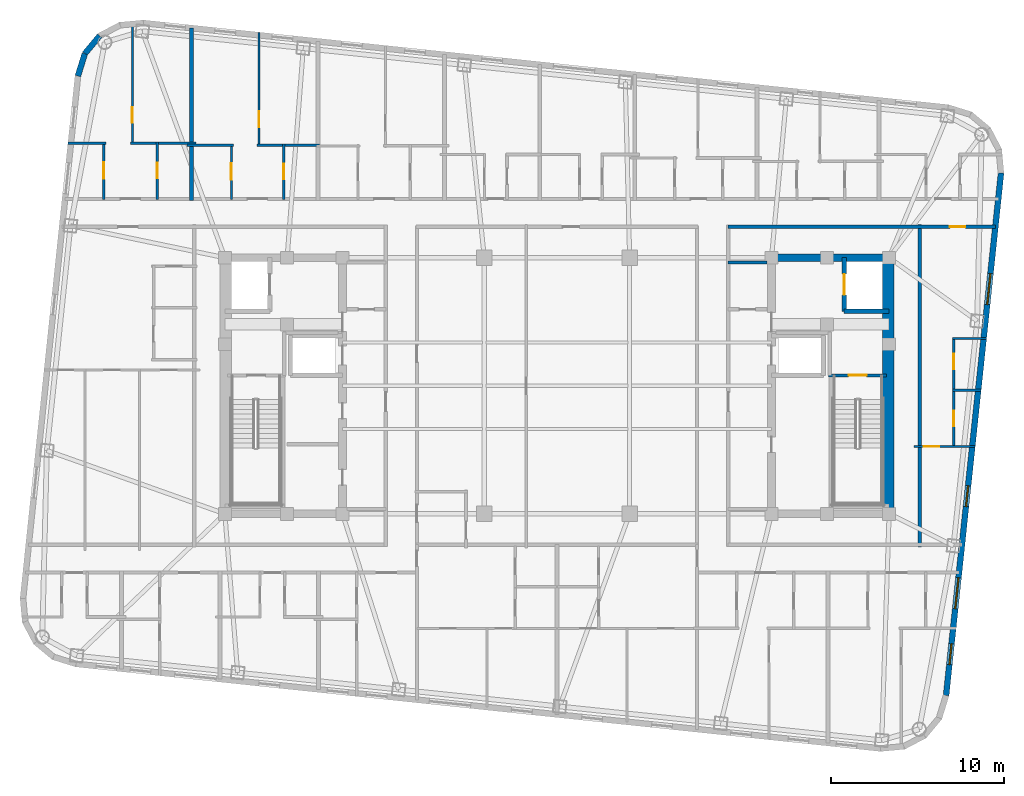
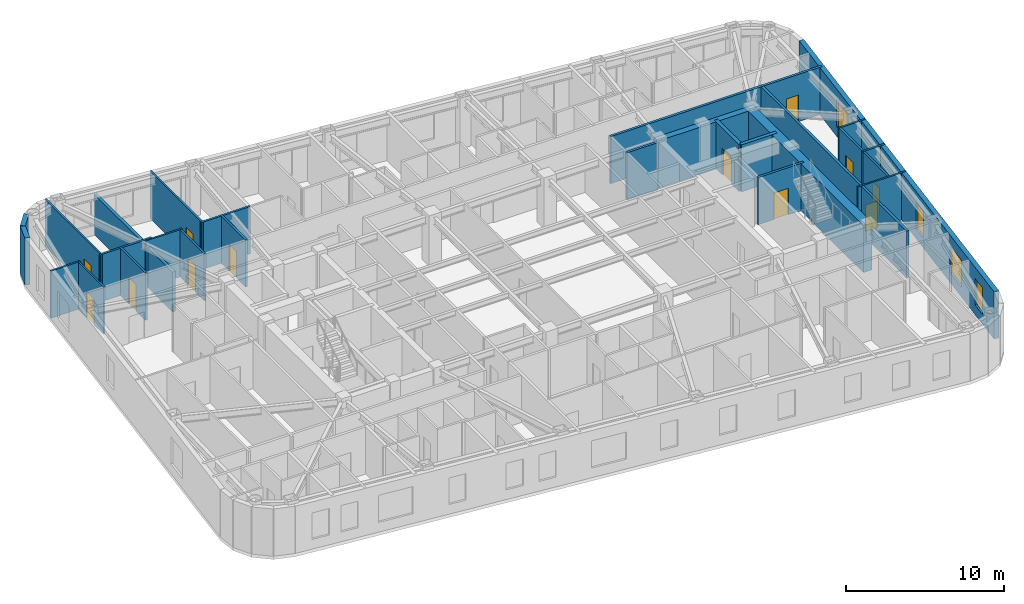
# One storey, part 7 of 11: 27 walls, 12 doors, 4 windows, 16 openings.
"""IFC4 building model written with IfcOpenShell, lengths in metres."""

from ifc_helpers import new_model, si_unit, direction, frame, frame_2d, origin, place, context, subcontext, project, spatial, rectangle, extrude, material, layer, layer_set, type_object, element, fill, save


model = new_model("IFC4")

# Units and contexts
model_context = context("Model", 3, precision=1e-05, world=origin(), true_north=direction((0.0, 1.0)))
body_context = subcontext(model_context, "Body", "Model", "MODEL_VIEW")
ifc_project = project(units=[si_unit("LENGTHUNIT", "METRE"), si_unit("AREAUNIT", "SQUARE_METRE"), si_unit("VOLUMEUNIT", "CUBIC_METRE"), si_unit("PLANEANGLEUNIT", "RADIAN"), si_unit("MASSUNIT", "GRAM", prefix="KILO")], contexts=[model_context])

# Site, building, storey
site_placement = place(None, origin())
site = spatial("IfcSite", under=ifc_project, at=site_placement, CompositionType="ELEMENT")
building_placement = place(site_placement, origin())
building = spatial("IfcBuilding", under=site, at=building_placement, Name="Voryun Gate Residences", CompositionType="ELEMENT")
storey_placement = place(building_placement, frame((0.0, 0.0, 283.39990234375)))
storey = spatial("IfcBuildingStorey", under=building, at=storey_placement, Name="L70", CompositionType="ELEMENT", Elevation=283.39990234375)

# Walls
ifc_material_1 = material(Name="Concrete C50/60", Category="concrete")
ifc_layer_1 = layer(ifc_material_1, 0.449951171875, Name="CW_CORE_450")
ifc_layer_set_1 = layer_set([ifc_layer_1], Name="Concrete C50/60")
wall_type_1 = type_object("IfcWallType", Name="CW_CORE_450", PredefinedType="SHEAR", material=ifc_layer_set_1)
wall_1_placement = place(storey_placement, frame((12.175048828125, 7.39990234375, 0.0), z_axis=(0.0, 0.0, 1.0), x_axis=(1.0, 0.0, 0.0)))
element("IfcWall", 1, at=wall_1_placement, inside=storey, type_object=wall_type_1, Name="L70 Core shear wall CW-L70-EN", PredefinedType="SHEAR", context=body_context, shape_type="SweptSolid", body=[
    extrude(rectangle(XDim=7.25, YDim=0.449951171875, at=frame_2d((3.625, 0.0))), origin(), (0.0, 0.0, 1.0), 3.650146484375),
])
ifc_material_2 = material(Name="Concrete C60/75", Category="concrete")
ifc_layer_2 = layer(ifc_material_2, 0.64990234375, Name="CW_CORE_650")
ifc_layer_set_2 = layer_set([ifc_layer_2], Name="Concrete C60/75")
wall_type_2 = type_object("IfcWallType", Name="CW_CORE_650", PredefinedType="SHEAR", material=ifc_layer_set_2)
wall_2_placement = place(storey_placement, frame((19.14501953125, -7.39990234375, 0.0), z_axis=(0.0, 0.0, 1.0), x_axis=(0.0, 1.0, 0.0)))
element("IfcWall", 2, at=wall_2_placement, inside=storey, type_object=wall_type_2, Name="L70 Core shear wall CW-L70-EE", PredefinedType="SHEAR", context=body_context, shape_type="SweptSolid", body=[
    extrude(rectangle(XDim=14.7998046875, YDim=0.64990234375, at=frame_2d((7.39990234375, 0.0))), origin(), (0.0, 0.0, 1.0), 3.650146484375),
])

# Wall, opening, door
ifc_material_3 = material(Name="Gypsum acoustic fireboard")
ifc_layer_3 = layer(ifc_material_3, 0.179931640625, Name="W_CORR_RATED_180")
ifc_layer_set_3 = layer_set([ifc_layer_3], Name="Gypsum acoustic fireboard")
wall_type_3 = type_object("IfcWallType", Name="W_CORR_RATED_180", PredefinedType="PARTITIONING", material=ifc_layer_set_3)
wall_3_placement = place(storey_placement, frame((15.699951171875, 0.60009765625, 0.0), z_axis=(0.0, 0.0, 1.0), x_axis=(1.0, 0.0, 0.0)))
wall_3 = element("IfcWall", 3, at=wall_3_placement, inside=storey, type_object=wall_type_3, Name="Partition wall WP-L70-STV-E", PredefinedType="PARTITIONING", context=body_context, shape_type="SweptSolid", body=[
    extrude(rectangle(XDim=3.360107421875, YDim=0.179931640625, at=frame_2d((1.68017578125, 0.0))), origin(), (0.0, 0.0, 1.0), 3.650146484375),
])
opening_1_placement = place(wall_3_placement, frame((1.155029296875, 0.0, 0.0)))
opening_1 = element("IfcOpeningElement", 4, at=opening_1_placement, cuts=wall_3, Name="Opening D-FD60-1", PredefinedType="OPENING", context=body_context, shape_type="SweptSolid", body=[
    extrude(rectangle(XDim=1.050048828125, YDim=2.050048828125, at=frame_2d((0.52490234375, 1.02490234375))), frame((0.0, 0.099853515625, 0.0), z_axis=(0.0, -1.0, 0.0), x_axis=(1.0, 0.0, 0.0)), (0.0, 0.0, 1.0), 0.199951171875),
])
ifc_material_4 = material(Name="Painted steel fire door", Category="steel")
door_type_1 = type_object("IfcDoorType", Name="DR_FD60_STAIR_1050", OperationType="NOTDEFINED", PredefinedType="DOOR", material=ifc_material_4)
door_1_placement = place(opening_1_placement, origin())
door_1 = element("IfcDoor", 5, at=door_1_placement, inside=storey, type_object=door_type_1, Name="Door DR-L70-ST-E", OperationType="SINGLE_SWING_RIGHT", OverallHeight=2.050048828125, OverallWidth=1.050048828125, PredefinedType="DOOR", context=body_context, shape_type="SweptSolid", body=[
    extrude(rectangle(XDim=1.050048828125, YDim=2.050048828125, at=frame_2d((0.52490234375, 1.02490234375))), frame((0.0, 0.02490234375, 0.0), z_axis=(0.0, -1.0, 0.0), x_axis=(1.0, 0.0, 0.0)), (0.0, 0.0, 1.0), 0.050048828125),
])
fill(opening_1, door_1)

# Wall
wall_4_placement = place(storey_placement, frame((9.8798828125, 7.1201171875, 0.0), z_axis=(0.0, 0.0, 1.0), x_axis=(1.0, 0.0, 0.0)))
element("IfcWall", 6, at=wall_4_placement, inside=storey, type_object=wall_type_3, Name="Partition wall WP-L70-PLBN-E", PredefinedType="PARTITIONING", context=body_context, shape_type="SweptSolid", body=[
    extrude(rectangle(XDim=2.27001953125, YDim=0.179931640625, at=frame_2d((1.135009765625, 0.0))), origin(), (0.0, 0.0, 1.0), 3.650146484375),
])

# Wall, opening, door
wall_5_placement = place(storey_placement, frame((9.8798828125, 9.18994140625, 0.0), z_axis=(0.0, 0.0, 1.0), x_axis=(1.0, 0.0, 0.0)))
wall_5 = element("IfcWall", 7, at=wall_5_placement, inside=storey, type_object=wall_type_3, Name="Partition wall WP-L70-CWING-EN", PredefinedType="PARTITIONING", context=body_context, shape_type="SweptSolid", body=[
    extrude(rectangle(XDim=15.4638671875, YDim=0.179931640625, at=frame_2d((7.73193359375, 0.0))), origin(), (0.0, 0.0, 1.0), 3.650146484375),
])
opening_2_placement = place(wall_5_placement, frame((12.831787109375, 0.0, 0.0)))
opening_2 = element("IfcOpeningElement", 8, at=opening_2_placement, cuts=wall_5, Name="Opening D-INT-2", PredefinedType="OPENING", context=body_context, shape_type="SweptSolid", body=[
    extrude(rectangle(XDim=0.89990234375, YDim=2.050048828125, at=frame_2d((0.449951171875, 1.02490234375))), frame((0.0, 0.099853515625, 0.0), z_axis=(0.0, -1.0, 0.0), x_axis=(1.0, 0.0, 0.0)), (0.0, 0.0, 1.0), 0.199951171875),
])
ifc_material_5 = material(Name="Architectural oak veneer")
door_type_2 = type_object("IfcDoorType", Name="DR_INT_BATH_900", OperationType="NOTDEFINED", PredefinedType="DOOR", material=ifc_material_5)
door_2_placement = place(opening_2_placement, origin())
door_2 = element("IfcDoor", 9, at=door_2_placement, inside=storey, type_object=door_type_2, Name="Door DR-L70-EE1N", OperationType="SINGLE_SWING_LEFT", OverallHeight=2.050048828125, OverallWidth=0.89990234375, PredefinedType="DOOR", context=body_context, shape_type="SweptSolid", body=[
    extrude(rectangle(XDim=0.89990234375, YDim=2.050048828125, at=frame_2d((0.449951171875, 1.02490234375))), frame((0.0, 0.02490234375, 0.0), z_axis=(0.0, -1.0, 0.0), x_axis=(1.0, 0.0, 0.0)), (0.0, 0.0, 1.0), 0.050048828125),
])
fill(opening_2, door_2)

# Walls
wall_6_placement = place(storey_placement, frame((20.969970703125, -9.31005859375, 0.0), z_axis=(0.0, 0.0, 1.0), x_axis=(0.0, 1.0, 0.0)))
element("IfcWall", 10, at=wall_6_placement, inside=storey, type_object=wall_type_3, Name="Partition wall WP-L70-ECOR", PredefinedType="PARTITIONING", context=body_context, shape_type="SweptSolid", body=[
    extrude(rectangle(XDim=18.6201171875, YDim=0.179931640625, at=frame_2d((9.31005859375, 0.0))), origin(), (0.0, 0.0, 1.0), 3.650146484375),
])
ifc_material_6 = material(Name="Charcoal terracotta masonry", Category="masonry")
ifc_layer_4 = layer(ifc_material_6, 0.340087890625, Name="W_EXT_TERRACOTTA_340")
ifc_layer_set_4 = layer_set([ifc_layer_4], Name="Charcoal terracotta masonry")
wall_type_4 = type_object("IfcWallType", Name="W_EXT_TERRACOTTA_340", PredefinedType="ELEMENTEDWALL", material=ifc_layer_set_4)
wall_7_placement = place(storey_placement, frame((-27.69580078125, 17.904541015625, 0.0), z_axis=(0.0, 0.0, 1.0), x_axis=(0.296416228123, 0.955058856671, 0.0)))
element("IfcWall", 11, at=wall_7_placement, inside=storey, type_object=wall_type_4, Name="Exterior wall WEXT-L70-07", PredefinedType="ELEMENTEDWALL", context=body_context, shape_type="SweptSolid", body=[
    extrude(rectangle(XDim=1.35400390625, YDim=0.340087890625, at=frame_2d((0.677001953125, 0.0))), origin(), (0.0, 0.0, 1.0), 3.650146484375),
])
wall_8_placement = place(storey_placement, frame((-27.29443359375, 19.19775390625, 0.0), z_axis=(0.0, 0.0, 1.0), x_axis=(0.639501603217, 0.768789762863, 0.0)))
element("IfcWall", 12, at=wall_8_placement, inside=storey, type_object=wall_type_4, Name="Exterior wall WEXT-L70-08", PredefinedType="ELEMENTEDWALL", context=body_context, shape_type="SweptSolid", body=[
    extrude(rectangle(XDim=1.3369140625, YDim=0.340087890625, at=frame_2d((0.66845703125, 0.0))), origin(), (0.0, 0.0, 1.0), 3.650146484375),
])

# Wall, openings, windows
wall_9_placement = place(storey_placement, frame((25.670166015625, 12.295654296875, 0.0), z_axis=(0.0, 0.0, 1.0), x_axis=(-0.104533282919, -0.994521388791, 0.0)))
wall_9 = element("IfcWall", 13, at=wall_9_placement, inside=storey, type_object=wall_type_4, Name="Exterior wall WEXT-L70-16", PredefinedType="ELEMENTEDWALL", context=body_context, shape_type="SweptSolid", body=[
    extrude(rectangle(XDim=30.366455078125, YDim=0.340087890625, at=frame_2d((15.18310546875, 0.0))), origin(), (0.0, 0.0, 1.0), 3.650146484375),
])
opening_3_placement = place(wall_9_placement, frame((5.841552734375, 0.0, 0.75)))
opening_3 = element("IfcOpeningElement", 14, at=opening_3_placement, cuts=wall_9, Name="Opening WN1", PredefinedType="OPENING", context=body_context, shape_type="SweptSolid", body=[
    extrude(rectangle(XDim=1.800048828125, YDim=2.10009765625, at=frame_2d((0.89990234375, 1.050048828125))), frame((0.0, 0.179931640625, 0.0), z_axis=(0.0, -1.0, 0.0), x_axis=(1.0, 0.0, 0.0)), (0.0, 0.0, 1.0), 0.360107421875),
])
opening_4_placement = place(wall_9_placement, frame((23.52490234375, 0.0, 0.75)))
opening_4 = element("IfcOpeningElement", 15, at=opening_4_placement, cuts=wall_9, Name="Opening WN1", PredefinedType="OPENING", context=body_context, shape_type="SweptSolid", body=[
    extrude(rectangle(XDim=1.800048828125, YDim=2.10009765625, at=frame_2d((0.89990234375, 1.050048828125))), frame((0.0, 0.179931640625, 0.0), z_axis=(0.0, -1.0, 0.0), x_axis=(1.0, 0.0, 0.0)), (0.0, 0.0, 1.0), 0.360107421875),
])
opening_5_placement = place(wall_9_placement, frame((27.368408203125, 0.0, 0.75)))
opening_5 = element("IfcOpeningElement", 16, at=opening_5_placement, cuts=wall_9, Name="Opening WN6", PredefinedType="OPENING", context=body_context, shape_type="SweptSolid", body=[
    extrude(rectangle(XDim=1.199951171875, YDim=2.050048828125, at=frame_2d((0.60009765625, 1.02490234375))), frame((0.0, 0.179931640625, 0.0), z_axis=(0.0, -1.0, 0.0), x_axis=(1.0, 0.0, 0.0)), (0.0, 0.0, 1.0), 0.360107421875),
])
opening_6_placement = place(wall_9_placement, frame((18.180908203125, 0.0, 0.75)))
opening_6 = element("IfcOpeningElement", 17, at=opening_6_placement, cuts=wall_9, Name="Opening WN6", PredefinedType="OPENING", context=body_context, shape_type="SweptSolid", body=[
    extrude(rectangle(XDim=1.199951171875, YDim=2.050048828125, at=frame_2d((0.60009765625, 1.02490234375))), frame((0.0, 0.179931640625, 0.0), z_axis=(0.0, -1.0, 0.0), x_axis=(1.0, 0.0, 0.0)), (0.0, 0.0, 1.0), 0.360107421875),
])
ifc_material_7 = material(Name="Laminated low-E glass", Category="glass")
window_type_1 = type_object("IfcWindowType", Name="WN_POD_SLOT_1200", PartitioningType="SINGLE_PANEL", PredefinedType="WINDOW", material=ifc_material_7)
window_1_placement = place(opening_5_placement, origin())
window_1 = element("IfcWindow", 18, at=window_1_placement, inside=storey, type_object=window_type_1, Name="Window WN-L70-DWFIX-21", OverallHeight=2.050048828125, OverallWidth=1.199951171875, PartitioningType="SINGLE_PANEL", PredefinedType="WINDOW", context=body_context, shape_type="SweptSolid", body=[
    extrude(rectangle(XDim=1.199951171875, YDim=2.050048828125, at=frame_2d((0.60009765625, 1.02490234375))), frame((0.0, 0.030029296875, 0.0), z_axis=(0.0, -1.0, 0.0), x_axis=(1.0, 0.0, 0.0)), (0.0, 0.0, 1.0), 0.06005859375),
])
fill(opening_5, window_1)
window_2_placement = place(opening_6_placement, origin())
window_2 = element("IfcWindow", 19, at=window_2_placement, inside=storey, type_object=window_type_1, Name="Window WN-L70-DWFIX-26", OverallHeight=2.050048828125, OverallWidth=1.199951171875, PartitioningType="SINGLE_PANEL", PredefinedType="WINDOW", context=body_context, shape_type="SweptSolid", body=[
    extrude(rectangle(XDim=1.199951171875, YDim=2.050048828125, at=frame_2d((0.60009765625, 1.02490234375))), frame((0.0, 0.030029296875, 0.0), z_axis=(0.0, -1.0, 0.0), x_axis=(1.0, 0.0, 0.0)), (0.0, 0.0, 1.0), 0.06005859375),
])
fill(opening_6, window_2)
ifc_material_8 = material(Name="Laminated low-E glass", Category="glass")
window_type_2 = type_object("IfcWindowType", Name="WN_RES_PUNCH_1800", PartitioningType="SINGLE_PANEL", PredefinedType="WINDOW", material=ifc_material_8)
window_3_placement = place(opening_3_placement, origin())
window_3 = element("IfcWindow", 20, at=window_3_placement, inside=storey, type_object=window_type_2, Name="Window WN-WEXT-L70-16-01", OverallHeight=2.10009765625, OverallWidth=1.800048828125, PartitioningType="SINGLE_PANEL", PredefinedType="WINDOW", context=body_context, shape_type="SweptSolid", body=[
    extrude(rectangle(XDim=1.800048828125, YDim=2.10009765625, at=frame_2d((0.89990234375, 1.050048828125))), frame((0.0, 0.030029296875, 0.0), z_axis=(0.0, -1.0, 0.0), x_axis=(1.0, 0.0, 0.0)), (0.0, 0.0, 1.0), 0.06005859375),
])
fill(opening_3, window_3)
window_4_placement = place(opening_4_placement, origin())
window_4 = element("IfcWindow", 21, at=window_4_placement, inside=storey, type_object=window_type_2, Name="Window WN-WEXT-L70-16-02", OverallHeight=2.10009765625, OverallWidth=1.800048828125, PartitioningType="SINGLE_PANEL", PredefinedType="WINDOW", context=body_context, shape_type="SweptSolid", body=[
    extrude(rectangle(XDim=1.800048828125, YDim=2.10009765625, at=frame_2d((0.89990234375, 1.050048828125))), frame((0.0, 0.030029296875, 0.0), z_axis=(0.0, -1.0, 0.0), x_axis=(1.0, 0.0, 0.0)), (0.0, 0.0, 1.0), 0.06005859375),
])
fill(opening_4, window_4)

# Walls
ifc_material_9 = material(Name="Concrete C40/50", Category="concrete")
ifc_layer_5 = layer(ifc_material_9, 0.219970703125, Name="W_PARTY_ACOUSTIC_220")
ifc_layer_set_5 = layer_set([ifc_layer_5], Name="Concrete C40/50")
wall_type_5 = type_object("IfcWallType", Name="W_PARTY_ACOUSTIC_220", PredefinedType="PARTITIONING", material=ifc_layer_set_5)
wall_10_placement = place(storey_placement, frame((-21.132080078125, 10.719970703125, 0.0), z_axis=(0.0, 0.0, 1.0), x_axis=(0.0, 1.0, 0.0)))
element("IfcWall", 22, at=wall_10_placement, inside=storey, type_object=wall_type_5, Name="Partition wall WP-L70-NPTY-1", PredefinedType="PARTITIONING", context=body_context, shape_type="SweptSolid", body=[
    extrude(rectangle(XDim=9.96044921875, YDim=0.219970703125, at=frame_2d((4.980224609375, 0.0))), origin(), (0.0, 0.0, 1.0), 3.090087890625),
])
ifc_material_10 = material(Name="Concrete C50/60", Category="concrete")
ifc_layer_6 = layer(ifc_material_10, 0.25, Name="W_SHAFT_RC250")
ifc_layer_set_6 = layer_set([ifc_layer_6], Name="Concrete C50/60")
wall_type_6 = type_object("IfcWallType", Name="W_SHAFT_RC250", PredefinedType="SOLIDWALL", material=ifc_layer_set_6)
wall_11_placement = place(storey_placement, frame((16.60009765625, 4.300048828125, 0.0), z_axis=(0.0, 0.0, 1.0), x_axis=(1.0, 0.0, 0.0)))
element("IfcWall", 23, at=wall_11_placement, inside=storey, type_object=wall_type_6, Name="Lift shaft wall WSH-L70-EL-FF-E1-S", PredefinedType="SOLIDWALL", context=body_context, shape_type="SweptSolid", body=[
    extrude(rectangle(XDim=2.599853515625, YDim=0.25, at=frame_2d((1.2998046875, 0.0))), origin(), (0.0, 0.0, 1.0), 3.650146484375),
])

# Wall, opening, door
wall_12_placement = place(storey_placement, frame((16.60009765625, 7.39990234375, 0.0), z_axis=(0.0, 0.0, 1.0), x_axis=(0.0, -1.0, 0.0)))
wall_12 = element("IfcWall", 24, at=wall_12_placement, inside=storey, type_object=wall_type_6, Name="Lift shaft wall WSH-L70-EL-FF-E1-W", PredefinedType="SOLIDWALL", context=body_context, shape_type="SweptSolid", body=[
    extrude(rectangle(XDim=3.099853515625, YDim=0.25, at=frame_2d((1.5498046875, 0.0))), origin(), (0.0, 0.0, 1.0), 3.650146484375),
])
opening_7_placement = place(wall_12_placement, frame((0.949951171875, 0.0, 0.0)))
opening_7 = element("IfcOpeningElement", 25, at=opening_7_placement, cuts=wall_12, Name="Opening LD1", PredefinedType="OPENING", context=body_context, shape_type="SweptSolid", body=[
    extrude(rectangle(XDim=1.199951171875, YDim=2.050048828125, at=frame_2d((0.60009765625, 1.02490234375))), frame((0.0, 0.135009765625, 0.0), z_axis=(0.0, -1.0, 0.0), x_axis=(1.0, 0.0, 0.0)), (0.0, 0.0, 1.0), 0.27001953125),
])
ifc_material_11 = material(Name="Anodised aluminium", Category="aluminium")
door_type_3 = type_object("IfcDoorType", Name="DR_LD_FF_1200", OperationType="NOTDEFINED", PredefinedType="DOOR", material=ifc_material_11)
door_3_placement = place(opening_7_placement, origin())
door_3 = element("IfcDoor", 26, at=door_3_placement, inside=storey, type_object=door_type_3, Name="Lift EL-FF-E1 sliding landing door L70", OperationType="SLIDING_TO_LEFT", OverallHeight=2.050048828125, OverallWidth=1.199951171875, PredefinedType="DOOR", context=body_context, shape_type="SweptSolid", body=[
    extrude(rectangle(XDim=1.199951171875, YDim=2.050048828125, at=frame_2d((0.60009765625, 1.02490234375))), frame((0.0, 0.02490234375, 0.0), z_axis=(0.0, -1.0, 0.0), x_axis=(1.0, 0.0, 0.0)), (0.0, 0.0, 1.0), 0.050048828125),
])
fill(opening_7, door_3)

ifc_material_12 = material(Name="Gypsum acoustic partition")
ifc_layer_7 = layer(ifc_material_12, 0.125, Name="W_UNIT_PART_125")
ifc_layer_set_7 = layer_set([ifc_layer_7], Name="Gypsum acoustic partition")
wall_type_7 = type_object("IfcWallType", Name="W_UNIT_PART_125", PredefinedType="PARTITIONING", material=ifc_layer_set_7)
wall_13_placement = place(storey_placement, frame((-24.5419921875, 13.93994140625, 0.0), z_axis=(0.0, 0.0, 1.0), x_axis=(0.0, 1.0, 0.0)))
wall_13 = element("IfcWall", 27, at=wall_13_placement, inside=storey, type_object=wall_type_7, Name="Partition wall WP-L70-N1-OVR", PredefinedType="PARTITIONING", context=body_context, shape_type="SweptSolid", body=[
    extrude(rectangle(XDim=7.12451171875, YDim=0.125, at=frame_2d((3.562255859375, 0.0))), origin(), (0.0, 0.0, 1.0), 3.650146484375),
])
opening_8_placement = place(wall_13_placement, frame((1.260009765625, 0.0, 0.0)))
opening_8 = element("IfcOpeningElement", 28, at=opening_8_placement, cuts=wall_13, Name="Opening D-INT-2", PredefinedType="OPENING", context=body_context, shape_type="SweptSolid", body=[
    extrude(rectangle(XDim=0.89990234375, YDim=2.050048828125, at=frame_2d((0.449951171875, 1.02490234375))), frame((0.0, 0.072509765625, 0.0), z_axis=(0.0, -1.0, 0.0), x_axis=(1.0, 0.0, 0.0)), (0.0, 0.0, 1.0), 0.14501953125),
])
door_4_placement = place(opening_8_placement, origin())
door_4 = element("IfcDoor", 29, at=door_4_placement, inside=storey, type_object=door_type_2, Name="Door DR-L70-N1-DMB", OperationType="SINGLE_SWING_RIGHT", OverallHeight=2.050048828125, OverallWidth=0.89990234375, PredefinedType="DOOR", context=body_context, shape_type="SweptSolid", body=[
    extrude(rectangle(XDim=0.89990234375, YDim=2.050048828125, at=frame_2d((0.449951171875, 1.02490234375))), frame((0.0, 0.02490234375, 0.0), z_axis=(0.0, -1.0, 0.0), x_axis=(1.0, 0.0, 0.0)), (0.0, 0.0, 1.0), 0.050048828125),
])
fill(opening_8, door_4)

wall_14_placement = place(storey_placement, frame((-26.197021484375, 10.780029296875, 0.0), z_axis=(0.0, 0.0, 1.0), x_axis=(0.0, 1.0, 0.0)))
wall_14 = element("IfcWall", 30, at=wall_14_placement, inside=storey, type_object=wall_type_7, Name="Partition wall WP-L70-N1-IVK", PredefinedType="PARTITIONING", context=body_context, shape_type="SweptSolid", body=[
    extrude(rectangle(XDim=3.320068359375, YDim=0.125, at=frame_2d((1.66015625, 0.0))), origin(), (0.0, 0.0, 1.0), 3.650146484375),
])
opening_9_placement = place(wall_14_placement, frame((1.18505859375, 0.0, 0.0)))
opening_9 = element("IfcOpeningElement", 31, at=opening_9_placement, cuts=wall_14, Name="Opening D-INT-1", PredefinedType="OPENING", context=body_context, shape_type="SweptSolid", body=[
    extrude(rectangle(XDim=0.949951171875, YDim=2.050048828125, at=frame_2d((0.47509765625, 1.02490234375))), frame((0.0, 0.072509765625, 0.0), z_axis=(0.0, -1.0, 0.0), x_axis=(1.0, 0.0, 0.0)), (0.0, 0.0, 1.0), 0.14501953125),
])
ifc_material_13 = material(Name="Architectural oak veneer")
door_type_4 = type_object("IfcDoorType", Name="DR_INT_ROOM_950", OperationType="NOTDEFINED", PredefinedType="DOOR", material=ifc_material_13)
door_5_placement = place(opening_9_placement, origin())
door_5 = element("IfcDoor", 32, at=door_5_placement, inside=storey, type_object=door_type_4, Name="Door DR-L70-N1-DK", OperationType="SINGLE_SWING_LEFT", OverallHeight=2.050048828125, OverallWidth=0.949951171875, PredefinedType="DOOR", context=body_context, shape_type="SweptSolid", body=[
    extrude(rectangle(XDim=0.949951171875, YDim=2.050048828125, at=frame_2d((0.47509765625, 1.02490234375))), frame((0.0, 0.02490234375, 0.0), z_axis=(0.0, -1.0, 0.0), x_axis=(1.0, 0.0, 0.0)), (0.0, 0.0, 1.0), 0.050048828125),
])
fill(opening_9, door_5)

# Wall
wall_15_placement = place(storey_placement, frame((-28.255126953125, 14.02001953125, 0.0), z_axis=(0.0, 0.0, 1.0), x_axis=(1.0, 0.0, 0.0)))
element("IfcWall", 33, at=wall_15_placement, inside=storey, type_object=wall_type_7, Name="Partition wall WP-L70-N1-HZK", PredefinedType="PARTITIONING", context=body_context, shape_type="SweptSolid", body=[
    extrude(rectangle(XDim=2.17822265625, YDim=0.125, at=frame_2d((1.089111328125, 0.0))), origin(), (0.0, 0.0, 1.0), 3.650146484375),
])

# Wall, opening, door
wall_16_placement = place(storey_placement, frame((-17.22607421875, 13.822021484375, 0.0), z_axis=(0.0, 0.0, 1.0), x_axis=(0.0, 1.0, 0.0)))
wall_16 = element("IfcWall", 34, at=wall_16_placement, inside=storey, type_object=wall_type_7, Name="Partition wall WP-L70-N2-OVR", PredefinedType="PARTITIONING", context=body_context, shape_type="SweptSolid", body=[
    extrude(rectangle(XDim=6.5986328125, YDim=0.125, at=frame_2d((3.29931640625, 0.0))), origin(), (0.0, 0.0, 1.0), 3.650146484375),
])
opening_10_placement = place(wall_16_placement, frame((1.1337890625, 0.0, 0.0)))
opening_10 = element("IfcOpeningElement", 35, at=opening_10_placement, cuts=wall_16, Name="Opening D-INT-2", PredefinedType="OPENING", context=body_context, shape_type="SweptSolid", body=[
    extrude(rectangle(XDim=0.89990234375, YDim=2.050048828125, at=frame_2d((0.449951171875, 1.02490234375))), frame((0.0, 0.072509765625, 0.0), z_axis=(0.0, -1.0, 0.0), x_axis=(1.0, 0.0, 0.0)), (0.0, 0.0, 1.0), 0.14501953125),
])
door_6_placement = place(opening_10_placement, origin())
door_6 = element("IfcDoor", 36, at=door_6_placement, inside=storey, type_object=door_type_2, Name="Door DR-L70-N2-DMB", OperationType="SINGLE_SWING_RIGHT", OverallHeight=2.050048828125, OverallWidth=0.89990234375, PredefinedType="DOOR", context=body_context, shape_type="SweptSolid", body=[
    extrude(rectangle(XDim=0.89990234375, YDim=2.050048828125, at=frame_2d((0.449951171875, 1.02490234375))), frame((0.0, 0.02490234375, 0.0), z_axis=(0.0, -1.0, 0.0), x_axis=(1.0, 0.0, 0.0)), (0.0, 0.0, 1.0), 0.050048828125),
])
fill(opening_10, door_6)

wall_17_placement = place(storey_placement, frame((-18.822021484375, 10.780029296875, 0.0), z_axis=(0.0, 0.0, 1.0), x_axis=(0.0, 1.0, 0.0)))
wall_17 = element("IfcWall", 37, at=wall_17_placement, inside=storey, type_object=wall_type_7, Name="Partition wall WP-L70-N2-IVK", PredefinedType="PARTITIONING", context=body_context, shape_type="SweptSolid", body=[
    extrude(rectangle(XDim=3.201904296875, YDim=0.125, at=frame_2d((1.60107421875, 0.0))), origin(), (0.0, 0.0, 1.0), 3.650146484375),
])
opening_11_placement = place(wall_17_placement, frame((1.1259765625, 0.0, 0.0)))
opening_11 = element("IfcOpeningElement", 38, at=opening_11_placement, cuts=wall_17, Name="Opening D-INT-1", PredefinedType="OPENING", context=body_context, shape_type="SweptSolid", body=[
    extrude(rectangle(XDim=0.949951171875, YDim=2.050048828125, at=frame_2d((0.47509765625, 1.02490234375))), frame((0.0, 0.072509765625, 0.0), z_axis=(0.0, -1.0, 0.0), x_axis=(1.0, 0.0, 0.0)), (0.0, 0.0, 1.0), 0.14501953125),
])
door_7_placement = place(opening_11_placement, origin())
door_7 = element("IfcDoor", 39, at=door_7_placement, inside=storey, type_object=door_type_4, Name="Door DR-L70-N2-DK", OperationType="SINGLE_SWING_LEFT", OverallHeight=2.050048828125, OverallWidth=0.949951171875, PredefinedType="DOOR", context=body_context, shape_type="SweptSolid", body=[
    extrude(rectangle(XDim=0.949951171875, YDim=2.050048828125, at=frame_2d((0.47509765625, 1.02490234375))), frame((0.0, 0.02490234375, 0.0), z_axis=(0.0, -1.0, 0.0), x_axis=(1.0, 0.0, 0.0)), (0.0, 0.0, 1.0), 0.050048828125),
])
fill(opening_11, door_7)

# Walls
wall_18_placement = place(storey_placement, frame((-21.39208984375, 13.902099609375, 0.0), z_axis=(0.0, 0.0, 1.0), x_axis=(1.0, 0.0, 0.0)))
element("IfcWall", 40, at=wall_18_placement, inside=storey, type_object=wall_type_7, Name="Partition wall WP-L70-N2-HZK", PredefinedType="PARTITIONING", context=body_context, shape_type="SweptSolid", body=[
    extrude(rectangle(XDim=2.690185546875, YDim=0.125, at=frame_2d((1.34521484375, 0.0))), origin(), (0.0, 0.0, 1.0), 3.650146484375),
])
wall_19_placement = place(storey_placement, frame((22.861083984375, 2.739990234375, 0.0), z_axis=(0.0, 0.0, 1.0), x_axis=(1.0, 0.0, 0.0)))
element("IfcWall", 41, at=wall_19_placement, inside=storey, type_object=wall_type_7, Name="Partition wall WP-L70-E1-HZ1", PredefinedType="PARTITIONING", context=body_context, shape_type="SweptSolid", body=[
    extrude(rectangle(XDim=1.95556640625, YDim=0.125, at=frame_2d((0.977783203125, 0.0))), origin(), (0.0, 0.0, 1.0), 3.650146484375),
])

# Wall, opening, door
wall_20_placement = place(storey_placement, frame((20.64990234375, -3.510009765625, 0.0), z_axis=(0.0, 0.0, 1.0), x_axis=(1.0, 0.0, 0.0)))
wall_20 = element("IfcWall", 42, at=wall_20_placement, inside=storey, type_object=wall_type_7, Name="Partition wall WP-L70-E1-HZ3", PredefinedType="PARTITIONING", context=body_context, shape_type="SweptSolid", body=[
    extrude(rectangle(XDim=3.509765625, YDim=0.125, at=frame_2d((1.7548828125, 0.0))), origin(), (0.0, 0.0, 1.0), 3.650146484375),
])
opening_12_placement = place(wall_20_placement, frame((0.5419921875, 0.0, 0.0)))
opening_12 = element("IfcOpeningElement", 43, at=opening_12_placement, cuts=wall_20, Name="Opening D-INT-2", PredefinedType="OPENING", context=body_context, shape_type="SweptSolid", body=[
    extrude(rectangle(XDim=0.89990234375, YDim=2.050048828125, at=frame_2d((0.449951171875, 1.02490234375))), frame((0.0, 0.072509765625, 0.0), z_axis=(0.0, -1.0, 0.0), x_axis=(1.0, 0.0, 0.0)), (0.0, 0.0, 1.0), 0.14501953125),
])
door_8_placement = place(opening_12_placement, origin())
door_8 = element("IfcDoor", 44, at=door_8_placement, inside=storey, type_object=door_type_2, Name="Door DR-L70-E1-DMB", OperationType="SINGLE_SWING_LEFT", OverallHeight=2.050048828125, OverallWidth=0.89990234375, PredefinedType="DOOR", context=body_context, shape_type="SweptSolid", body=[
    extrude(rectangle(XDim=0.89990234375, YDim=2.050048828125, at=frame_2d((0.449951171875, 1.02490234375))), frame((0.0, 0.02490234375, 0.0), z_axis=(0.0, -1.0, 0.0), x_axis=(1.0, 0.0, 0.0)), (0.0, 0.0, 1.0), 0.050048828125),
])
fill(opening_12, door_8)

# Wall
ifc_material_14 = material(Name="Gypsum moisture-resistant partition")
ifc_layer_8 = layer(ifc_material_14, 0.14990234375, Name="W_WET_PLUMB_150")
ifc_layer_set_8 = layer_set([ifc_layer_8], Name="Gypsum moisture-resistant partition")
wall_type_8 = type_object("IfcWallType", Name="W_WET_PLUMB_150", PredefinedType="PLUMBINGWALL", material=ifc_layer_set_8)
wall_21_placement = place(storey_placement, frame((-24.662109375, 14.02001953125, 0.0), z_axis=(0.0, 0.0, 1.0), x_axis=(1.0, 0.0, 0.0)))
element("IfcWall", 45, at=wall_21_placement, inside=storey, type_object=wall_type_8, Name="Partition wall WP-L70-N1-HZB", PredefinedType="PLUMBINGWALL", context=body_context, shape_type="SweptSolid", body=[
    extrude(rectangle(XDim=3.7900390625, YDim=0.14990234375, at=frame_2d((1.89501953125, 0.0))), origin(), (0.0, 0.0, 1.0), 3.650146484375),
])

# Wall, opening, door
wall_22_placement = place(storey_placement, frame((-23.112060546875, 10.780029296875, 0.0), z_axis=(0.0, 0.0, 1.0), x_axis=(0.0, 1.0, 0.0)))
wall_22 = element("IfcWall", 46, at=wall_22_placement, inside=storey, type_object=wall_type_8, Name="Partition wall WP-L70-N1-IVB", PredefinedType="PLUMBINGWALL", context=body_context, shape_type="SweptSolid", body=[
    extrude(rectangle(XDim=3.320068359375, YDim=0.14990234375, at=frame_2d((1.66015625, 0.0))), origin(), (0.0, 0.0, 1.0), 3.650146484375),
])
opening_13_placement = place(wall_22_placement, frame((1.2099609375, 0.0, 0.0)))
opening_13 = element("IfcOpeningElement", 47, at=opening_13_placement, cuts=wall_22, Name="Opening D-INT-2", PredefinedType="OPENING", context=body_context, shape_type="SweptSolid", body=[
    extrude(rectangle(XDim=0.89990234375, YDim=2.050048828125, at=frame_2d((0.449951171875, 1.02490234375))), frame((0.0, 0.0849609375, 0.0), z_axis=(0.0, -1.0, 0.0), x_axis=(1.0, 0.0, 0.0)), (0.0, 0.0, 1.0), 0.169921875),
])
door_9_placement = place(opening_13_placement, origin())
door_9 = element("IfcDoor", 48, at=door_9_placement, inside=storey, type_object=door_type_2, Name="Door DR-L70-N1-DB", OperationType="SINGLE_SWING_RIGHT", OverallHeight=2.050048828125, OverallWidth=0.89990234375, PredefinedType="DOOR", context=body_context, shape_type="SweptSolid", body=[
    extrude(rectangle(XDim=0.89990234375, YDim=2.050048828125, at=frame_2d((0.449951171875, 1.02490234375))), frame((0.0, 0.02490234375, 0.0), z_axis=(0.0, -1.0, 0.0), x_axis=(1.0, 0.0, 0.0)), (0.0, 0.0, 1.0), 0.050048828125),
])
fill(opening_13, door_9)

# Wall
wall_23_placement = place(storey_placement, frame((-17.345947265625, 13.902099609375, 0.0), z_axis=(0.0, 0.0, 1.0), x_axis=(1.0, 0.0, 0.0)))
element("IfcWall", 49, at=wall_23_placement, inside=storey, type_object=wall_type_8, Name="Partition wall WP-L70-N2-HZB", PredefinedType="PLUMBINGWALL", context=body_context, shape_type="SweptSolid", body=[
    extrude(rectangle(XDim=3.60498046875, YDim=0.14990234375, at=frame_2d((1.802490234375, 0.0))), origin(), (0.0, 0.0, 1.0), 3.650146484375),
])

# Wall, opening, door
wall_24_placement = place(storey_placement, frame((-15.7958984375, 10.780029296875, 0.0), z_axis=(0.0, 0.0, 1.0), x_axis=(0.0, 1.0, 0.0)))
wall_24 = element("IfcWall", 50, at=wall_24_placement, inside=storey, type_object=wall_type_8, Name="Partition wall WP-L70-N2-IVB", PredefinedType="PLUMBINGWALL", context=body_context, shape_type="SweptSolid", body=[
    extrude(rectangle(XDim=3.201904296875, YDim=0.14990234375, at=frame_2d((1.60107421875, 0.0))), origin(), (0.0, 0.0, 1.0), 3.650146484375),
])
opening_14_placement = place(wall_24_placement, frame((1.15087890625, 0.0, 0.0)))
opening_14 = element("IfcOpeningElement", 51, at=opening_14_placement, cuts=wall_24, Name="Opening D-INT-2", PredefinedType="OPENING", context=body_context, shape_type="SweptSolid", body=[
    extrude(rectangle(XDim=0.89990234375, YDim=2.050048828125, at=frame_2d((0.449951171875, 1.02490234375))), frame((0.0, 0.0849609375, 0.0), z_axis=(0.0, -1.0, 0.0), x_axis=(1.0, 0.0, 0.0)), (0.0, 0.0, 1.0), 0.169921875),
])
door_10_placement = place(opening_14_placement, origin())
door_10 = element("IfcDoor", 52, at=door_10_placement, inside=storey, type_object=door_type_2, Name="Door DR-L70-N2-DB", OperationType="SINGLE_SWING_RIGHT", OverallHeight=2.050048828125, OverallWidth=0.89990234375, PredefinedType="DOOR", context=body_context, shape_type="SweptSolid", body=[
    extrude(rectangle(XDim=0.89990234375, YDim=2.050048828125, at=frame_2d((0.449951171875, 1.02490234375))), frame((0.0, 0.02490234375, 0.0), z_axis=(0.0, -1.0, 0.0), x_axis=(1.0, 0.0, 0.0)), (0.0, 0.0, 1.0), 0.050048828125),
])
fill(opening_14, door_10)

# Wall
wall_25_placement = place(storey_placement, frame((22.861083984375, -0.260009765625, 0.0), z_axis=(0.0, 0.0, 1.0), x_axis=(1.0, 0.0, 0.0)))
element("IfcWall", 53, at=wall_25_placement, inside=storey, type_object=wall_type_8, Name="Partition wall WP-L70-E1-HZ2", PredefinedType="PLUMBINGWALL", context=body_context, shape_type="SweptSolid", body=[
    extrude(rectangle(XDim=1.64013671875, YDim=0.14990234375, at=frame_2d((0.820068359375, 0.0))), origin(), (0.0, 0.0, 1.0), 3.650146484375),
])

# Wall, opening, door
wall_26_placement = place(storey_placement, frame((22.94091796875, -3.550048828125, 0.0), z_axis=(0.0, 0.0, 1.0), x_axis=(0.0, 1.0, 0.0)))
wall_26 = element("IfcWall", 54, at=wall_26_placement, inside=storey, type_object=wall_type_8, Name="Partition wall WP-L70-E1-VKB1", PredefinedType="PLUMBINGWALL", context=body_context, shape_type="SweptSolid", body=[
    extrude(rectangle(XDim=3.330078125, YDim=0.14990234375, at=frame_2d((1.6650390625, 0.0))), origin(), (0.0, 0.0, 1.0), 3.650146484375),
])
opening_15_placement = place(wall_26_placement, frame((1.215087890625, 0.0, 0.0)))
opening_15 = element("IfcOpeningElement", 55, at=opening_15_placement, cuts=wall_26, Name="Opening D-INT-2", PredefinedType="OPENING", context=body_context, shape_type="SweptSolid", body=[
    extrude(rectangle(XDim=0.89990234375, YDim=2.050048828125, at=frame_2d((0.449951171875, 1.02490234375))), frame((0.0, 0.0849609375, 0.0), z_axis=(0.0, -1.0, 0.0), x_axis=(1.0, 0.0, 0.0)), (0.0, 0.0, 1.0), 0.169921875),
])
door_11_placement = place(opening_15_placement, origin())
door_11 = element("IfcDoor", 56, at=door_11_placement, inside=storey, type_object=door_type_2, Name="Door DR-L70-E1-DB", OperationType="SINGLE_SWING_LEFT", OverallHeight=2.050048828125, OverallWidth=0.89990234375, PredefinedType="DOOR", context=body_context, shape_type="SweptSolid", body=[
    extrude(rectangle(XDim=0.89990234375, YDim=2.050048828125, at=frame_2d((0.449951171875, 1.02490234375))), frame((0.0, 0.02490234375, 0.0), z_axis=(0.0, -1.0, 0.0), x_axis=(1.0, 0.0, 0.0)), (0.0, 0.0, 1.0), 0.050048828125),
])
fill(opening_15, door_11)

wall_27_placement = place(storey_placement, frame((22.94091796875, -0.300048828125, 0.0), z_axis=(0.0, 0.0, 1.0), x_axis=(0.0, 1.0, 0.0)))
wall_27 = element("IfcWall", 57, at=wall_27_placement, inside=storey, type_object=wall_type_8, Name="Partition wall WP-L70-E1-VKB2", PredefinedType="PLUMBINGWALL", context=body_context, shape_type="SweptSolid", body=[
    extrude(rectangle(XDim=3.080078125, YDim=0.14990234375, at=frame_2d((1.5400390625, 0.0))), origin(), (0.0, 0.0, 1.0), 3.650146484375),
])
opening_16_placement = place(wall_27_placement, frame((1.243896484375, 0.0, 0.0)))
opening_16 = element("IfcOpeningElement", 58, at=opening_16_placement, cuts=wall_27, Name="Opening D-INT-2", PredefinedType="OPENING", context=body_context, shape_type="SweptSolid", body=[
    extrude(rectangle(XDim=0.89990234375, YDim=2.050048828125, at=frame_2d((0.449951171875, 1.02490234375))), frame((0.0, 0.0849609375, 0.0), z_axis=(0.0, -1.0, 0.0), x_axis=(1.0, 0.0, 0.0)), (0.0, 0.0, 1.0), 0.169921875),
])
door_12_placement = place(opening_16_placement, origin())
door_12 = element("IfcDoor", 59, at=door_12_placement, inside=storey, type_object=door_type_2, Name="Door DR-L70-E1-DK", OperationType="SINGLE_SWING_RIGHT", OverallHeight=2.050048828125, OverallWidth=0.89990234375, PredefinedType="DOOR", context=body_context, shape_type="SweptSolid", body=[
    extrude(rectangle(XDim=0.89990234375, YDim=2.050048828125, at=frame_2d((0.449951171875, 1.02490234375))), frame((0.0, 0.02490234375, 0.0), z_axis=(0.0, -1.0, 0.0), x_axis=(1.0, 0.0, 0.0)), (0.0, 0.0, 1.0), 0.050048828125),
])
fill(opening_16, door_12)

save(model, "model.ifc")
